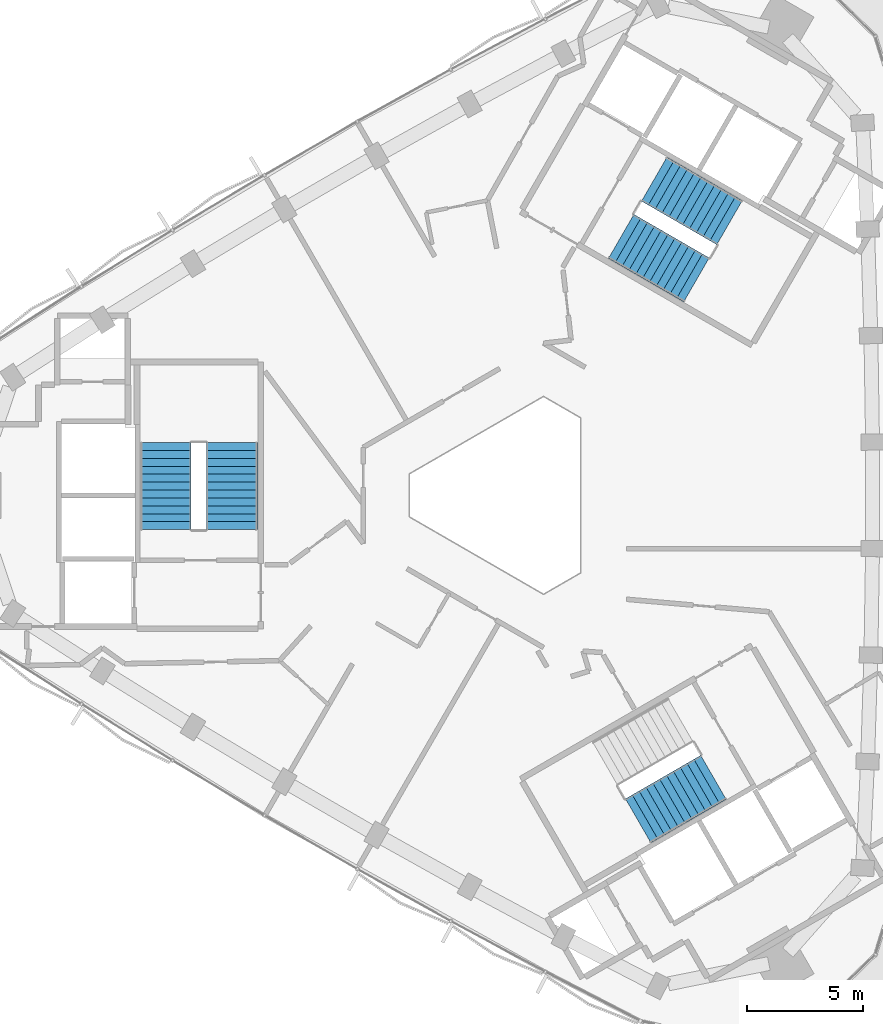
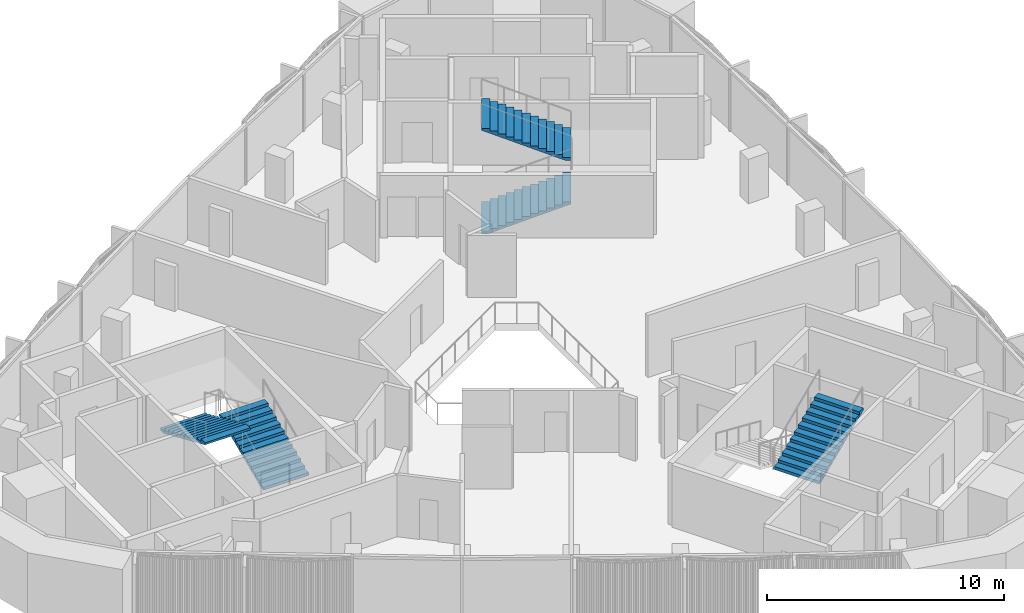
# One storey, part 9 of 13: 5 stair flights, 3 elements without a shape of their own.
"""IFC4 building model written with IfcOpenShell, lengths in metres."""

from ifc_helpers import new_model, si_unit, direction, frame, origin, place, context, subcontext, project, spatial, polyline, outline, extrude, material, type_object, element, aggregate, save


model = new_model("IFC4")

# Units and contexts
model_context = context("Model", 3, precision=1e-05, world=origin(), true_north=direction((0.0, 1.0)))
body_context = subcontext(model_context, "Body", "Model", "MODEL_VIEW")
ifc_project = project(units=[si_unit("LENGTHUNIT", "METRE"), si_unit("AREAUNIT", "SQUARE_METRE"), si_unit("VOLUMEUNIT", "CUBIC_METRE"), si_unit("PLANEANGLEUNIT", "RADIAN"), si_unit("MASSUNIT", "GRAM", prefix="KILO")], contexts=[model_context])

# Site, building, storey
site_placement = place(None, origin())
site = spatial("IfcSite", under=ifc_project, at=site_placement, CompositionType="ELEMENT")
building_placement = place(site_placement, origin())
building = spatial("IfcBuilding", under=site, at=building_placement, Name="Tamra Quay Hotel Tower", CompositionType="ELEMENT")
storey_placement = place(building_placement, frame((0.0, 0.0, 298.199951171875)))
storey = spatial("IfcBuildingStorey", under=building, at=storey_placement, Name="L75", CompositionType="ELEMENT", Elevation=298.199951171875)

# Stair, stair flights
ifc_material_1 = material(Name="Exit stair 2200 24 risers 150.0 going 342")
stair_type = type_object("IfcStairType", Name="Exit stair 2200 24 risers 150.0 going 342", PredefinedType="HALF_TURN_STAIR", material=ifc_material_1)
stair_1_placement = place(storey_placement, origin())
stair_1 = element("IfcStair", 1, at=stair_1_placement, inside=storey, type_object=stair_type, Name="L75 Exit stair ST3", PredefinedType="HALF_TURN_STAIR")
ifc_material_2 = material(Name="Exit stair flight 2200 12 risers 150.0")
stair_flight_type = type_object("IfcStairFlightType", Name="Exit stair flight 2200 12 risers 150.0", PredefinedType="STRAIGHT", material=ifc_material_2)
stair_flight_1_placement = place(storey_placement, frame((-12.082275390625, -1.47998046875, 0.0), z_axis=(0.0, 0.0, 1.0), x_axis=(0.0, 1.0, 0.0)))
stair_flight_1 = element("IfcStairFlight", 2, at=stair_flight_1_placement, type_object=stair_flight_type, Name="ST3 flight 1", NumberOfRisers=12, NumberOfTreads=11, PredefinedType="STRAIGHT", RiserHeight=0.15, TreadLength=0.342, context=body_context, shape_type="SweptSolid", body=[
    extrude(outline(polyline([(0.0, 0.0), (0.0, 0.14990234375), (0.342041015625, 0.14990234375), (0.342041015625, 0.300048828125), (0.68408203125, 0.300048828125), (0.68408203125, 0.449951171875), (1.02587890625, 0.449951171875), (1.02587890625, 0.60009765625), (1.367919921875, 0.60009765625), (1.367919921875, 0.75), (1.7099609375, 0.75), (1.7099609375, 0.89990234375), (2.052001953125, 0.89990234375), (2.052001953125, 1.050048828125), (2.39404296875, 1.050048828125), (2.39404296875, 1.199951171875), (2.736083984375, 1.199951171875), (2.736083984375, 1.35009765625), (3.077880859375, 1.35009765625), (3.077880859375, 1.5), (3.419921875, 1.5), (3.419921875, 1.64990234375), (3.761962890625, 1.64990234375), (3.761962890625, 1.800048828125), (3.761962890625, 1.540771484375), (0.249267578125, 0.0), (0.0, 0.0)])), frame((0.0, 1.10009765625, 0.0), z_axis=(0.0, -1.0, 0.0), x_axis=(1.0, 0.0, 0.0)), (0.0, 0.0, 1.0), 2.199951171875),
])
stair_flight_2_placement = place(storey_placement, frame((-14.94140625, 2.281982421875, 1.800048828125), z_axis=(0.0, 0.0, 1.0), x_axis=(0.0, -1.0, 0.0)))
stair_flight_2 = element("IfcStairFlight", 3, at=stair_flight_2_placement, type_object=stair_flight_type, Name="ST3 flight 2", NumberOfRisers=12, NumberOfTreads=11, PredefinedType="STRAIGHT", RiserHeight=0.15, TreadLength=0.342, context=body_context, shape_type="SweptSolid", body=[
    extrude(outline(polyline([(0.0, 0.0), (0.0, 0.14990234375), (0.342041015625, 0.14990234375), (0.342041015625, 0.300048828125), (0.68408203125, 0.300048828125), (0.68408203125, 0.449951171875), (1.02587890625, 0.449951171875), (1.02587890625, 0.60009765625), (1.367919921875, 0.60009765625), (1.367919921875, 0.75), (1.7099609375, 0.75), (1.7099609375, 0.89990234375), (2.052001953125, 0.89990234375), (2.052001953125, 1.050048828125), (2.39404296875, 1.050048828125), (2.39404296875, 1.199951171875), (2.736083984375, 1.199951171875), (2.736083984375, 1.35009765625), (3.077880859375, 1.35009765625), (3.077880859375, 1.5), (3.419921875, 1.5), (3.419921875, 1.64990234375), (3.761962890625, 1.64990234375), (3.761962890625, 1.800048828125), (3.761962890625, 1.540771484375), (0.249267578125, 0.0), (0.0, 0.0)])), frame((0.0, 1.10009765625, 0.0), z_axis=(0.0, -1.0, 0.0), x_axis=(1.0, 0.0, 0.0)), (0.0, 0.0, 1.0), 2.199951171875),
])
aggregate(stair_1, [stair_flight_1, stair_flight_2])

stair_2_placement = place(storey_placement, origin())
stair_2 = element("IfcStair", 4, at=stair_2_placement, inside=storey, type_object=stair_type, Name="L75 Exit stair ST1", PredefinedType="HALF_TURN_STAIR")
stair_flight_3_placement = place(storey_placement, frame((4.75927734375, 11.20361328125, 0.0), z_axis=(0.0, 0.0, 1.0), x_axis=(0.866025403784, -0.5, 0.0)))
stair_flight_3 = element("IfcStairFlight", 5, at=stair_flight_3_placement, type_object=stair_flight_type, Name="ST1 flight 1", NumberOfRisers=12, NumberOfTreads=11, PredefinedType="STRAIGHT", RiserHeight=0.15, TreadLength=0.342, context=body_context, shape_type="SweptSolid", body=[
    extrude(outline(polyline([(0.0, 0.0), (0.0, 0.14990234375), (0.342041015625, 0.14990234375), (0.342041015625, 0.300048828125), (0.68408203125, 0.300048828125), (0.68408203125, 0.449951171875), (1.02587890625, 0.449951171875), (1.02587890625, 0.60009765625), (1.367919921875, 0.60009765625), (1.367919921875, 0.75), (1.7099609375, 0.75), (1.7099609375, 0.89990234375), (2.052001953125, 0.89990234375), (2.052001953125, 1.050048828125), (2.39404296875, 1.050048828125), (2.39404296875, 1.199951171875), (2.736083984375, 1.199951171875), (2.736083984375, 1.35009765625), (3.077880859375, 1.35009765625), (3.077880859375, 1.5), (3.419921875, 1.5), (3.419921875, 1.64990234375), (3.761962890625, 1.64990234375), (3.761962890625, 1.800048828125), (3.761962890625, 1.540771484375), (0.249267578125, 0.0), (0.0, 0.0)])), frame((0.0, 1.10009765625, 0.0), z_axis=(0.0, -1.0, 0.0), x_axis=(1.0, 0.0, 0.0)), (0.0, 0.0, 1.0), 2.199951171875),
])
stair_flight_4_placement = place(storey_placement, frame((9.44677734375, 11.798583984375, 1.800048828125), z_axis=(0.0, 0.0, 1.0), x_axis=(-0.866025403784, 0.5, 0.0)))
stair_flight_4 = element("IfcStairFlight", 6, at=stair_flight_4_placement, type_object=stair_flight_type, Name="ST1 flight 2", NumberOfRisers=12, NumberOfTreads=11, PredefinedType="STRAIGHT", RiserHeight=0.15, TreadLength=0.342, context=body_context, shape_type="SweptSolid", body=[
    extrude(outline(polyline([(0.0, 0.0), (0.0, 0.14990234375), (0.342041015625, 0.14990234375), (0.342041015625, 0.300048828125), (0.68408203125, 0.300048828125), (0.68408203125, 0.449951171875), (1.02587890625, 0.449951171875), (1.02587890625, 0.60009765625), (1.367919921875, 0.60009765625), (1.367919921875, 0.75), (1.7099609375, 0.75), (1.7099609375, 0.89990234375), (2.052001953125, 0.89990234375), (2.052001953125, 1.050048828125), (2.39404296875, 1.050048828125), (2.39404296875, 1.199951171875), (2.736083984375, 1.199951171875), (2.736083984375, 1.35009765625), (3.077880859375, 1.35009765625), (3.077880859375, 1.5), (3.419921875, 1.5), (3.419921875, 1.64990234375), (3.761962890625, 1.64990234375), (3.761962890625, 1.800048828125), (3.761962890625, 1.540771484375), (0.249267578125, 0.0), (0.0, 0.0)])), frame((0.0, 1.10009765625, 0.0), z_axis=(0.0, -1.0, 0.0), x_axis=(1.0, 0.0, 0.0)), (0.0, 0.0, 1.0), 2.199951171875),
])
aggregate(stair_2, [stair_flight_3, stair_flight_4])

# Stair, stair flight
stair_3_placement = place(storey_placement, origin())
stair_3 = element("IfcStair", 7, at=stair_3_placement, inside=storey, type_object=stair_type, Name="L75 Exit stair ST2", PredefinedType="HALF_TURN_STAIR")
stair_flight_5_placement = place(storey_placement, frame((5.494384765625, -14.08056640625, 1.800048828125), z_axis=(0.0, 0.0, 1.0), x_axis=(0.866025403784, 0.5, 0.0)))
stair_flight_5 = element("IfcStairFlight", 8, at=stair_flight_5_placement, type_object=stair_flight_type, Name="ST2 flight 2", NumberOfRisers=12, NumberOfTreads=11, PredefinedType="STRAIGHT", RiserHeight=0.15, TreadLength=0.342, context=body_context, shape_type="SweptSolid", body=[
    extrude(outline(polyline([(0.0, 0.0), (0.0, 0.14990234375), (0.342041015625, 0.14990234375), (0.342041015625, 0.300048828125), (0.68408203125, 0.300048828125), (0.68408203125, 0.449951171875), (1.02587890625, 0.449951171875), (1.02587890625, 0.60009765625), (1.367919921875, 0.60009765625), (1.367919921875, 0.75), (1.7099609375, 0.75), (1.7099609375, 0.89990234375), (2.052001953125, 0.89990234375), (2.052001953125, 1.050048828125), (2.39404296875, 1.050048828125), (2.39404296875, 1.199951171875), (2.736083984375, 1.199951171875), (2.736083984375, 1.35009765625), (3.077880859375, 1.35009765625), (3.077880859375, 1.5), (3.419921875, 1.5), (3.419921875, 1.64990234375), (3.761962890625, 1.64990234375), (3.761962890625, 1.800048828125), (3.761962890625, 1.540771484375), (0.249267578125, 0.0), (0.0, 0.0)])), frame((0.0, 1.10009765625, 0.0), z_axis=(0.0, -1.0, 0.0), x_axis=(1.0, 0.0, 0.0)), (0.0, 0.0, 1.0), 2.199951171875),
])
aggregate(stair_3, [stair_flight_5])

save(model, "model.ifc")
